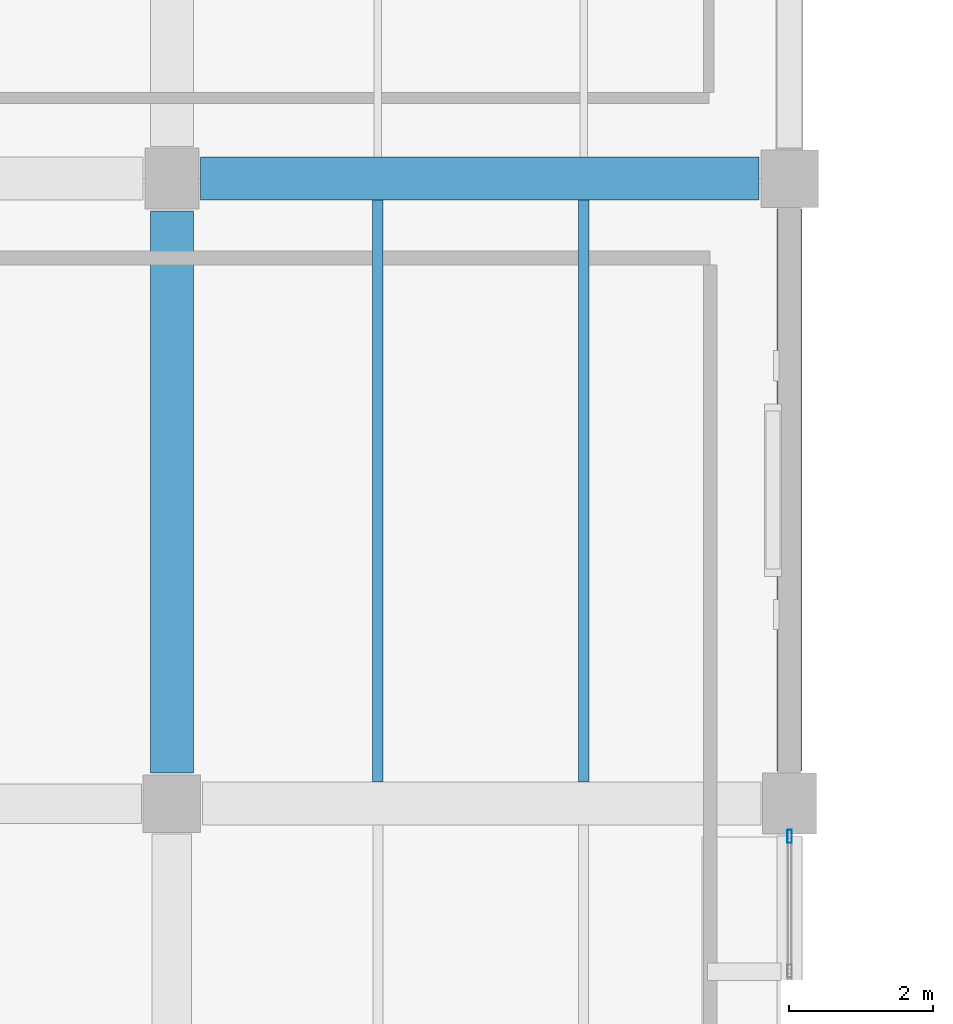
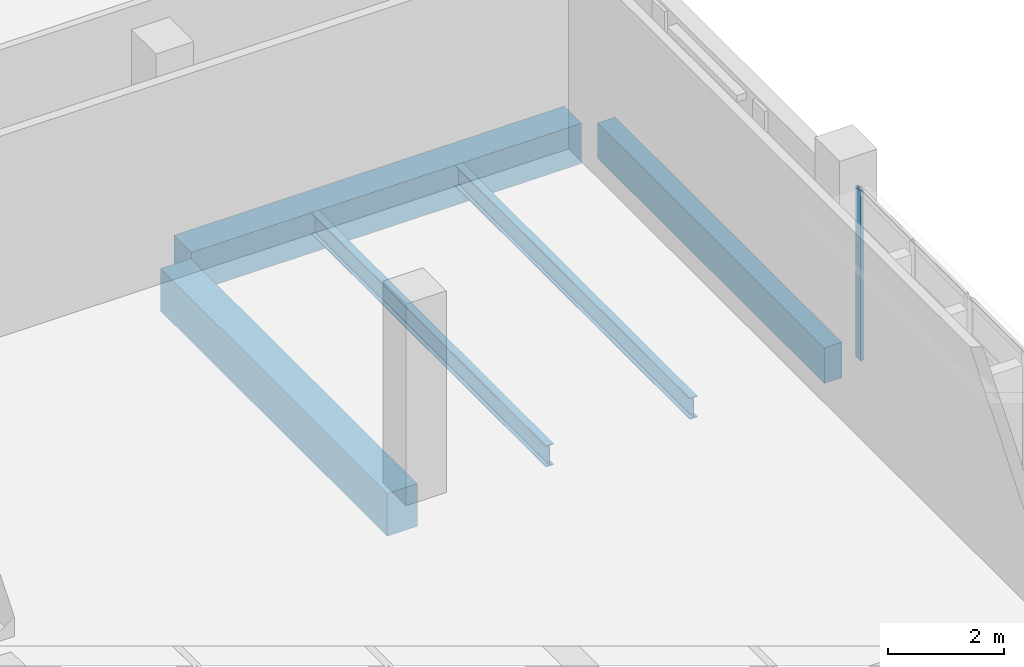
# One storey, part 45 of 76: 5 beams, 1 member, 1 element without a shape of its own.
"""IFC4 building model written with IfcOpenShell, lengths in metres."""

from ifc_helpers import new_model, si_unit, direction, frame, origin, origin_2d, place, context, subcontext, project, spatial, rectangle, hollow_rectangle, i_section, extrude, material, material_profile, profile_set, type_object, element, aggregate, save


model = new_model("IFC4")

# Units and contexts
model_context = context("Model", 3, precision=1e-05, world=origin(), true_north=direction((0.0, 1.0)))
body_context = subcontext(model_context, "Body", "Model", "MODEL_VIEW")
ifc_project = project(units=[si_unit("LENGTHUNIT", "METRE"), si_unit("AREAUNIT", "SQUARE_METRE"), si_unit("VOLUMEUNIT", "CUBIC_METRE"), si_unit("PLANEANGLEUNIT", "RADIAN"), si_unit("MASSUNIT", "GRAM", prefix="KILO")], contexts=[model_context])

# Site, building, storey
site_placement = place(None, origin())
site = spatial("IfcSite", under=ifc_project, at=site_placement, CompositionType="ELEMENT")
building_placement = place(site_placement, origin())
building = spatial("IfcBuilding", under=site, at=building_placement, Name="Varnakota Cinema and Media Centre", CompositionType="ELEMENT")
storey_placement = place(building_placement, origin())
storey = spatial("IfcBuildingStorey", under=building, at=storey_placement, Name="L00", CompositionType="ELEMENT", Elevation=0.0)

# Beams
ifc_material_1 = material(Name="Concrete M35", Category="concrete")
ifc_material_profile_1 = material_profile(ifc_material_1, rectangle(XDim=0.60009765625, YDim=0.85009765625, at=origin_2d()), Name="RCB 600x850")
ifc_profile_set_1 = profile_set([ifc_material_profile_1], Name="Concrete M35")
beam_type_1 = type_object("IfcBeamType", Name="BM-RC-600x850", PredefinedType="BEAM", material=ifc_profile_set_1)
beam_1_placement = place(storey_placement, frame((34.800048828125, 78.199951171875, -0.705078125), z_axis=(1.0, 0.0, 0.0), x_axis=(0.0, 1.0, 0.0)))
element("IfcBeam", 1, at=beam_1_placement, inside=storey, type_object=beam_type_1, Name="L00 girder E-F/10", PredefinedType="BEAM", context=body_context, shape_type="SweptSolid", body=[
    extrude(rectangle(XDim=0.60009765625, YDim=0.85009765625, at=origin_2d()), origin(), (0.0, 0.0, 1.0), 7.77490234375),
])
ifc_material_2 = material(Name="Concrete M40", Category="concrete")
ifc_material_profile_2 = material_profile(ifc_material_2, rectangle(XDim=0.60009765625, YDim=0.89990234375, at=origin_2d()), Name="RCB 600x900")
ifc_profile_set_2 = profile_set([ifc_material_profile_2], Name="Concrete M40")
beam_type_2 = type_object("IfcBeamType", Name="BM-RC-600x900", PredefinedType="BEAM", material=ifc_profile_set_2)
beam_2_placement = place(storey_placement, frame((34.39990234375, 69.925048828125, -0.72998046875), z_axis=(0.0, 1.0, 0.0), x_axis=(-1.0, 0.0, 0.0)))
element("IfcBeam", 2, at=beam_2_placement, inside=storey, type_object=beam_type_2, Name="L00 girder E/9-10", PredefinedType="BEAM", context=body_context, shape_type="SweptSolid", body=[
    extrude(rectangle(XDim=0.60009765625, YDim=0.89990234375, at=origin_2d()), origin(), (0.0, 0.0, 1.0), 7.824951171875),
])
ifc_material_3 = material(Name="Concrete M40", Category="concrete")
ifc_material_profile_3 = material_profile(ifc_material_3, rectangle(XDim=0.35009765625, YDim=0.75, at=origin_2d()), Name="RCB 350x750")
ifc_profile_set_3 = profile_set([ifc_material_profile_3], Name="Concrete M40")
beam_type_3 = type_object("IfcBeamType", Name="BM-SP-350x750", PredefinedType="SPANDREL", material=ifc_profile_set_3)
beam_3_placement = place(storey_placement, frame((43.0, 69.949951171875, -0.655029296875), z_axis=(0.0, 1.0, 0.0), x_axis=(-1.0, 0.0, 0.0)))
element("IfcBeam", 3, at=beam_3_placement, inside=storey, type_object=beam_type_3, Name="L00 girder F/9-10", PredefinedType="SPANDREL", context=body_context, shape_type="SweptSolid", body=[
    extrude(rectangle(XDim=0.35009765625, YDim=0.75, at=origin_2d()), origin(), (0.0, 0.0, 1.0), 7.824951171875),
])
ifc_material_4 = material(Name="Structural steel Grade 350 (E350)", Category="steel")
ifc_material_profile_4 = material_profile(ifc_material_4, i_section(OverallWidth=0.14990234375, OverallDepth=0.449951171875, WebThickness=0.009521484375, FlangeThickness=0.017333984375, FilletRadius=0.014892578125, at=origin_2d()), Name="ISMB 450")
ifc_profile_set_4 = profile_set([ifc_material_profile_4], Name="Structural steel Grade 350 (E350)")
beam_type_4 = type_object("IfcBeamType", Name="BM-ST-ISMB450", PredefinedType="BEAM", material=ifc_profile_set_4)
for number, where, z_axis, x_axis, name in (
    (4, (37.2666015625, 69.800048828125, -0.5048828125), (0.0, 1.0, 0.0), (-1.0, 0.0, 0.0), "L00 steel joist E-F/9-10 #1"),
    (5, (40.13330078125, 69.800048828125, -0.5048828125), (0.0, 1.0, 0.0), (-1.0, 0.0, 0.0), "L00 steel joist E-F/9-10 #2"),
):
    element("IfcBeam", number, at=place(storey_placement, frame(where, z_axis=z_axis, x_axis=x_axis)), inside=storey, type_object=beam_type_4, Name=name, PredefinedType="BEAM", context=body_context, shape_type="SweptSolid", body=[
        extrude(i_section(OverallWidth=0.14990234375, OverallDepth=0.449951171875, WebThickness=0.009521484375, FlangeThickness=0.017333984375, FilletRadius=0.014892578125, at=origin_2d()), origin(), (0.0, 0.0, 1.0), 8.099853515625),
    ])

# Curtain wall, member
ifc_material_5 = material(Name="Thermally broken anodised aluminium AW-6063", Category="aluminium")
curtain_wall_type = type_object("IfcCurtainWallType", Name="CW-STD-382x358", PredefinedType="USERDEFINED", material=ifc_material_5)
curtain_wall_placement = place(storey_placement, origin())
curtain_wall = element("IfcCurtainWall", 6, at=curtain_wall_placement, inside=storey, type_object=curtain_wall_type, Name="L00 curtain wall CW-L00-V5-E-03-2", ObjectType="UNITISED CURTAIN WALL", PredefinedType="USERDEFINED")
ifc_material_6 = material(Name="Thermally broken anodised aluminium AW-6063", Category="aluminium")
ifc_material_profile_5 = material_profile(ifc_material_6, hollow_rectangle(XDim=0.06494140625, YDim=0.179931640625, WallThickness=0.00390625, InnerFilletRadius=0.00390625, OuterFilletRadius=0.008056640625, at=origin_2d()), Name="AL-MULLION 180x65x4")
ifc_profile_set_5 = profile_set([ifc_material_profile_5], Name="Thermally broken anodised aluminium AW-6063")
member_type = type_object("IfcMemberType", Name="CWM-AL-180", PredefinedType="MULLION", material=ifc_profile_set_5)
member_placement = place(storey_placement, frame((43.0, 69.04248046875, 0.0), z_axis=(0.0, 0.0, 1.0), x_axis=(-1.0, 0.0, 0.0)))
member = element("IfcMember", 7, at=member_placement, type_object=member_type, Name="CW14 mullion 3", PredefinedType="MULLION", context=body_context, shape_type="SweptSolid", body=[
    extrude(hollow_rectangle(XDim=0.06494140625, YDim=0.179931640625, WallThickness=0.00390625, InnerFilletRadius=0.00390625, OuterFilletRadius=0.008056640625, at=origin_2d()), origin(), (0.0, 0.0, 1.0), 3.5849609375),
])
aggregate(curtain_wall, [member])

save(model, "model.ifc")
